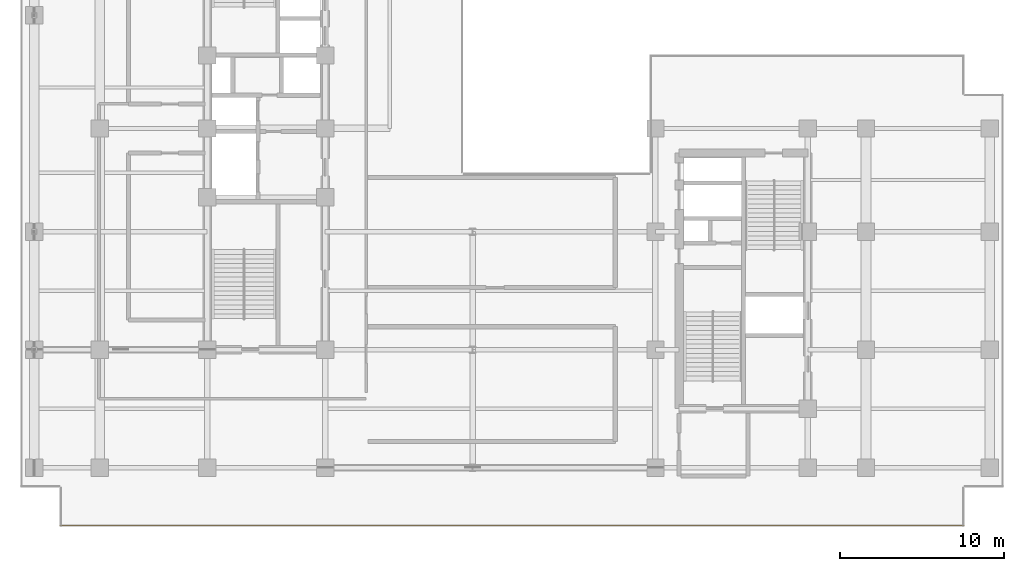
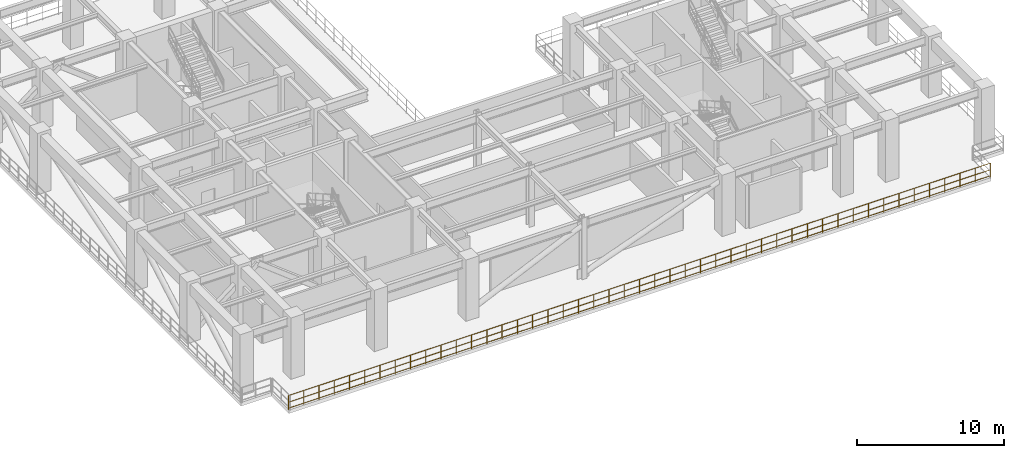
# One storey, part 9 of 16: 1 railing.
"""IFC4 building model written with IfcOpenShell, lengths in metres."""

from ifc_helpers import new_model, entity, si_unit, converted_unit, direction, frame, origin_with_axes, origin_2d_with_axis, place, context, subcontext, project, spatial, rectangle, circle, extrude, material, type_object, element, save


model = new_model("IFC4")

# Units and contexts
model_context = context("Model", 3, precision=1e-05, world=origin_with_axes(), true_north=direction((0.0, 1.0)))
body_context = subcontext(model_context, "Body", "Model", "MODEL_VIEW")
ifc_project = project(units=[si_unit("LENGTHUNIT", "METRE"), si_unit("AREAUNIT", "SQUARE_METRE"), si_unit("VOLUMEUNIT", "CUBIC_METRE"), converted_unit("PLANEANGLEUNIT", "DEGREE", entity("IfcPlaneAngleMeasure", 0.017453292519943295), si_unit("PLANEANGLEUNIT", "RADIAN"), dimensions=[0, 0, 0, 0, 0, 0, 0]), si_unit("MASSUNIT", "GRAM", prefix="KILO"), si_unit("THERMODYNAMICTEMPERATUREUNIT", "KELVIN")], contexts=[model_context])

# Site, building, storey
site_placement = place(None, origin_with_axes())
site = spatial("IfcSite", under=ifc_project, at=site_placement, CompositionType="ELEMENT")
building_placement = place(site_placement, origin_with_axes())
building = spatial("IfcBuilding", under=site, at=building_placement, Name="Varnlund Millrace Tower", CompositionType="ELEMENT")
storey_placement = place(building_placement, frame((0.0, 0.0, 187.5), z_axis=(0.0, 0.0, 1.0), x_axis=(1.0, 0.0, 0.0)))
storey = spatial("IfcBuildingStorey", under=building, at=storey_placement, Name="L46", CompositionType="ELEMENT", Elevation=187.5)

# Railing
ifc_material = material(Name="Architectural bronze balustrade guard", Category="aluminium")
railing_type = type_object("IfcRailingType", Name="Type-Guard-Perimeter-1150", PredefinedType="BALUSTRADE", material=ifc_material)
railing_placement = place(storey_placement, frame((0.0, 0.0, -187.5), z_axis=(0.0, 0.0, 1.0), x_axis=(1.0, 0.0, 0.0)))
element("IfcRailing", 1, at=railing_placement, inside=storey, type_object=railing_type, Name="Type-Guard-Perimeter-1150", PredefinedType="BALUSTRADE", context=body_context, shape_type="SweptSolid", body=[
    extrude(circle(Radius=0.024, at=origin_2d_with_axis()), frame((2.4, 0.08, 188.65), z_axis=(1.0, 0.0, 0.0), x_axis=(0.0, 1.0, 0.0)), (0.0, 0.0, 1.0), 55.2),
    extrude(circle(Radius=0.024, at=origin_2d_with_axis()), frame((2.4, 0.08, 187.6), z_axis=(1.0, 0.0, 0.0), x_axis=(0.0, 1.0, 0.0)), (0.0, 0.0, 1.0), 55.2),
    extrude(circle(Radius=0.024, at=origin_2d_with_axis()), frame((2.4, 0.08, 188.098), z_axis=(1.0, 0.0, 0.0), x_axis=(0.0, 1.0, 0.0)), (0.0, 0.0, 1.0), 55.2),
    extrude(rectangle(XDim=0.04, YDim=0.04, at=origin_2d_with_axis()), frame((2.4, 0.08, 187.46), z_axis=(0.0, 0.0, 1.0), x_axis=(1.0, 0.0, 0.0)), (0.0, 0.0, 1.0), 1.19),
    extrude(rectangle(XDim=0.04, YDim=0.04, at=origin_2d_with_axis()), frame((3.6, 0.08, 187.46), z_axis=(0.0, 0.0, 1.0), x_axis=(1.0, 0.0, 0.0)), (0.0, 0.0, 1.0), 1.19),
    extrude(rectangle(XDim=0.04, YDim=0.04, at=origin_2d_with_axis()), frame((4.8, 0.08, 187.46), z_axis=(0.0, 0.0, 1.0), x_axis=(1.0, 0.0, 0.0)), (0.0, 0.0, 1.0), 1.19),
    extrude(rectangle(XDim=0.04, YDim=0.04, at=origin_2d_with_axis()), frame((6.0, 0.08, 187.46), z_axis=(0.0, 0.0, 1.0), x_axis=(1.0, 0.0, 0.0)), (0.0, 0.0, 1.0), 1.19),
    extrude(rectangle(XDim=0.04, YDim=0.04, at=origin_2d_with_axis()), frame((7.2, 0.08, 187.46), z_axis=(0.0, 0.0, 1.0), x_axis=(1.0, 0.0, 0.0)), (0.0, 0.0, 1.0), 1.19),
    extrude(rectangle(XDim=0.04, YDim=0.04, at=origin_2d_with_axis()), frame((8.4, 0.08, 187.46), z_axis=(0.0, 0.0, 1.0), x_axis=(1.0, 0.0, 0.0)), (0.0, 0.0, 1.0), 1.19),
    extrude(rectangle(XDim=0.04, YDim=0.04, at=origin_2d_with_axis()), frame((9.6, 0.08, 187.46), z_axis=(0.0, 0.0, 1.0), x_axis=(1.0, 0.0, 0.0)), (0.0, 0.0, 1.0), 1.19),
    extrude(rectangle(XDim=0.04, YDim=0.04, at=origin_2d_with_axis()), frame((10.8, 0.08, 187.46), z_axis=(0.0, 0.0, 1.0), x_axis=(1.0, 0.0, 0.0)), (0.0, 0.0, 1.0), 1.19),
    extrude(rectangle(XDim=0.04, YDim=0.04, at=origin_2d_with_axis()), frame((12.0, 0.08, 187.46), z_axis=(0.0, 0.0, 1.0), x_axis=(1.0, 0.0, 0.0)), (0.0, 0.0, 1.0), 1.19),
    extrude(rectangle(XDim=0.04, YDim=0.04, at=origin_2d_with_axis()), frame((13.2, 0.08, 187.46), z_axis=(0.0, 0.0, 1.0), x_axis=(1.0, 0.0, 0.0)), (0.0, 0.0, 1.0), 1.19),
    extrude(rectangle(XDim=0.04, YDim=0.04, at=origin_2d_with_axis()), frame((14.4, 0.08, 187.46), z_axis=(0.0, 0.0, 1.0), x_axis=(1.0, 0.0, 0.0)), (0.0, 0.0, 1.0), 1.19),
    extrude(rectangle(XDim=0.04, YDim=0.04, at=origin_2d_with_axis()), frame((15.6, 0.08, 187.46), z_axis=(0.0, 0.0, 1.0), x_axis=(1.0, 0.0, 0.0)), (0.0, 0.0, 1.0), 1.19),
    extrude(rectangle(XDim=0.04, YDim=0.04, at=origin_2d_with_axis()), frame((16.8, 0.08, 187.46), z_axis=(0.0, 0.0, 1.0), x_axis=(1.0, 0.0, 0.0)), (0.0, 0.0, 1.0), 1.19),
    extrude(rectangle(XDim=0.04, YDim=0.04, at=origin_2d_with_axis()), frame((18.0, 0.08, 187.46), z_axis=(0.0, 0.0, 1.0), x_axis=(1.0, 0.0, 0.0)), (0.0, 0.0, 1.0), 1.19),
    extrude(rectangle(XDim=0.04, YDim=0.04, at=origin_2d_with_axis()), frame((19.2, 0.08, 187.46), z_axis=(0.0, 0.0, 1.0), x_axis=(1.0, 0.0, 0.0)), (0.0, 0.0, 1.0), 1.19),
    extrude(rectangle(XDim=0.04, YDim=0.04, at=origin_2d_with_axis()), frame((20.4, 0.08, 187.46), z_axis=(0.0, 0.0, 1.0), x_axis=(1.0, 0.0, 0.0)), (0.0, 0.0, 1.0), 1.19),
    extrude(rectangle(XDim=0.04, YDim=0.04, at=origin_2d_with_axis()), frame((21.6, 0.08, 187.46), z_axis=(0.0, 0.0, 1.0), x_axis=(1.0, 0.0, 0.0)), (0.0, 0.0, 1.0), 1.19),
    extrude(rectangle(XDim=0.04, YDim=0.04, at=origin_2d_with_axis()), frame((22.8, 0.08, 187.46), z_axis=(0.0, 0.0, 1.0), x_axis=(1.0, 0.0, 0.0)), (0.0, 0.0, 1.0), 1.19),
    extrude(rectangle(XDim=0.04, YDim=0.04, at=origin_2d_with_axis()), frame((24.0, 0.08, 187.46), z_axis=(0.0, 0.0, 1.0), x_axis=(1.0, 0.0, 0.0)), (0.0, 0.0, 1.0), 1.19),
    extrude(rectangle(XDim=0.04, YDim=0.04, at=origin_2d_with_axis()), frame((25.2, 0.08, 187.46), z_axis=(0.0, 0.0, 1.0), x_axis=(1.0, 0.0, 0.0)), (0.0, 0.0, 1.0), 1.19),
    extrude(rectangle(XDim=0.04, YDim=0.04, at=origin_2d_with_axis()), frame((26.4, 0.08, 187.46), z_axis=(0.0, 0.0, 1.0), x_axis=(1.0, 0.0, 0.0)), (0.0, 0.0, 1.0), 1.19),
    extrude(rectangle(XDim=0.04, YDim=0.04, at=origin_2d_with_axis()), frame((27.6, 0.08, 187.46), z_axis=(0.0, 0.0, 1.0), x_axis=(1.0, 0.0, 0.0)), (0.0, 0.0, 1.0), 1.19),
    extrude(rectangle(XDim=0.04, YDim=0.04, at=origin_2d_with_axis()), frame((28.8, 0.08, 187.46), z_axis=(0.0, 0.0, 1.0), x_axis=(1.0, 0.0, 0.0)), (0.0, 0.0, 1.0), 1.19),
    extrude(rectangle(XDim=0.04, YDim=0.04, at=origin_2d_with_axis()), frame((30.0, 0.08, 187.46), z_axis=(0.0, 0.0, 1.0), x_axis=(1.0, 0.0, 0.0)), (0.0, 0.0, 1.0), 1.19),
    extrude(rectangle(XDim=0.04, YDim=0.04, at=origin_2d_with_axis()), frame((31.2, 0.08, 187.46), z_axis=(0.0, 0.0, 1.0), x_axis=(1.0, 0.0, 0.0)), (0.0, 0.0, 1.0), 1.19),
    extrude(rectangle(XDim=0.04, YDim=0.04, at=origin_2d_with_axis()), frame((32.4, 0.08, 187.46), z_axis=(0.0, 0.0, 1.0), x_axis=(1.0, 0.0, 0.0)), (0.0, 0.0, 1.0), 1.19),
    extrude(rectangle(XDim=0.04, YDim=0.04, at=origin_2d_with_axis()), frame((33.6, 0.08, 187.46), z_axis=(0.0, 0.0, 1.0), x_axis=(1.0, 0.0, 0.0)), (0.0, 0.0, 1.0), 1.19),
    extrude(rectangle(XDim=0.04, YDim=0.04, at=origin_2d_with_axis()), frame((34.8, 0.08, 187.46), z_axis=(0.0, 0.0, 1.0), x_axis=(1.0, 0.0, 0.0)), (0.0, 0.0, 1.0), 1.19),
    extrude(rectangle(XDim=0.04, YDim=0.04, at=origin_2d_with_axis()), frame((36.0, 0.08, 187.46), z_axis=(0.0, 0.0, 1.0), x_axis=(1.0, 0.0, 0.0)), (0.0, 0.0, 1.0), 1.19),
    extrude(rectangle(XDim=0.04, YDim=0.04, at=origin_2d_with_axis()), frame((37.2, 0.08, 187.46), z_axis=(0.0, 0.0, 1.0), x_axis=(1.0, 0.0, 0.0)), (0.0, 0.0, 1.0), 1.19),
    extrude(rectangle(XDim=0.04, YDim=0.04, at=origin_2d_with_axis()), frame((38.4, 0.08, 187.46), z_axis=(0.0, 0.0, 1.0), x_axis=(1.0, 0.0, 0.0)), (0.0, 0.0, 1.0), 1.19),
    extrude(rectangle(XDim=0.04, YDim=0.04, at=origin_2d_with_axis()), frame((39.6, 0.08, 187.46), z_axis=(0.0, 0.0, 1.0), x_axis=(1.0, 0.0, 0.0)), (0.0, 0.0, 1.0), 1.19),
    extrude(rectangle(XDim=0.04, YDim=0.04, at=origin_2d_with_axis()), frame((40.8, 0.08, 187.46), z_axis=(0.0, 0.0, 1.0), x_axis=(1.0, 0.0, 0.0)), (0.0, 0.0, 1.0), 1.19),
    extrude(rectangle(XDim=0.04, YDim=0.04, at=origin_2d_with_axis()), frame((42.0, 0.08, 187.46), z_axis=(0.0, 0.0, 1.0), x_axis=(1.0, 0.0, 0.0)), (0.0, 0.0, 1.0), 1.19),
    extrude(rectangle(XDim=0.04, YDim=0.04, at=origin_2d_with_axis()), frame((43.2, 0.08, 187.46), z_axis=(0.0, 0.0, 1.0), x_axis=(1.0, 0.0, 0.0)), (0.0, 0.0, 1.0), 1.19),
    extrude(rectangle(XDim=0.04, YDim=0.04, at=origin_2d_with_axis()), frame((44.4, 0.08, 187.46), z_axis=(0.0, 0.0, 1.0), x_axis=(1.0, 0.0, 0.0)), (0.0, 0.0, 1.0), 1.19),
    extrude(rectangle(XDim=0.04, YDim=0.04, at=origin_2d_with_axis()), frame((45.6, 0.08, 187.46), z_axis=(0.0, 0.0, 1.0), x_axis=(1.0, 0.0, 0.0)), (0.0, 0.0, 1.0), 1.19),
    extrude(rectangle(XDim=0.04, YDim=0.04, at=origin_2d_with_axis()), frame((46.8, 0.08, 187.46), z_axis=(0.0, 0.0, 1.0), x_axis=(1.0, 0.0, 0.0)), (0.0, 0.0, 1.0), 1.19),
    extrude(rectangle(XDim=0.04, YDim=0.04, at=origin_2d_with_axis()), frame((48.0, 0.08, 187.46), z_axis=(0.0, 0.0, 1.0), x_axis=(1.0, 0.0, 0.0)), (0.0, 0.0, 1.0), 1.19),
    extrude(rectangle(XDim=0.04, YDim=0.04, at=origin_2d_with_axis()), frame((49.2, 0.08, 187.46), z_axis=(0.0, 0.0, 1.0), x_axis=(1.0, 0.0, 0.0)), (0.0, 0.0, 1.0), 1.19),
    extrude(rectangle(XDim=0.04, YDim=0.04, at=origin_2d_with_axis()), frame((50.4, 0.08, 187.46), z_axis=(0.0, 0.0, 1.0), x_axis=(1.0, 0.0, 0.0)), (0.0, 0.0, 1.0), 1.19),
    extrude(rectangle(XDim=0.04, YDim=0.04, at=origin_2d_with_axis()), frame((51.6, 0.08, 187.46), z_axis=(0.0, 0.0, 1.0), x_axis=(1.0, 0.0, 0.0)), (0.0, 0.0, 1.0), 1.19),
    extrude(rectangle(XDim=0.04, YDim=0.04, at=origin_2d_with_axis()), frame((52.8, 0.08, 187.46), z_axis=(0.0, 0.0, 1.0), x_axis=(1.0, 0.0, 0.0)), (0.0, 0.0, 1.0), 1.19),
    extrude(rectangle(XDim=0.04, YDim=0.04, at=origin_2d_with_axis()), frame((54.0, 0.08, 187.46), z_axis=(0.0, 0.0, 1.0), x_axis=(1.0, 0.0, 0.0)), (0.0, 0.0, 1.0), 1.19),
    extrude(rectangle(XDim=0.04, YDim=0.04, at=origin_2d_with_axis()), frame((55.2, 0.08, 187.46), z_axis=(0.0, 0.0, 1.0), x_axis=(1.0, 0.0, 0.0)), (0.0, 0.0, 1.0), 1.19),
    extrude(rectangle(XDim=0.04, YDim=0.04, at=origin_2d_with_axis()), frame((56.4, 0.08, 187.46), z_axis=(0.0, 0.0, 1.0), x_axis=(1.0, 0.0, 0.0)), (0.0, 0.0, 1.0), 1.19),
    extrude(rectangle(XDim=0.04, YDim=0.04, at=origin_2d_with_axis()), frame((57.6, 0.08, 187.46), z_axis=(0.0, 0.0, 1.0), x_axis=(1.0, 0.0, 0.0)), (0.0, 0.0, 1.0), 1.19),
])

save(model, "model.ifc")
